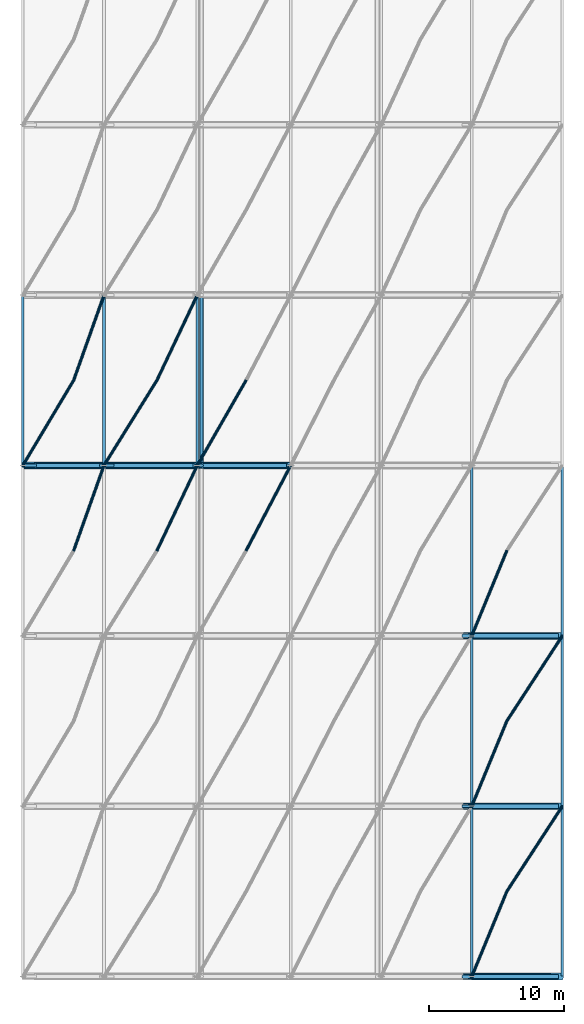
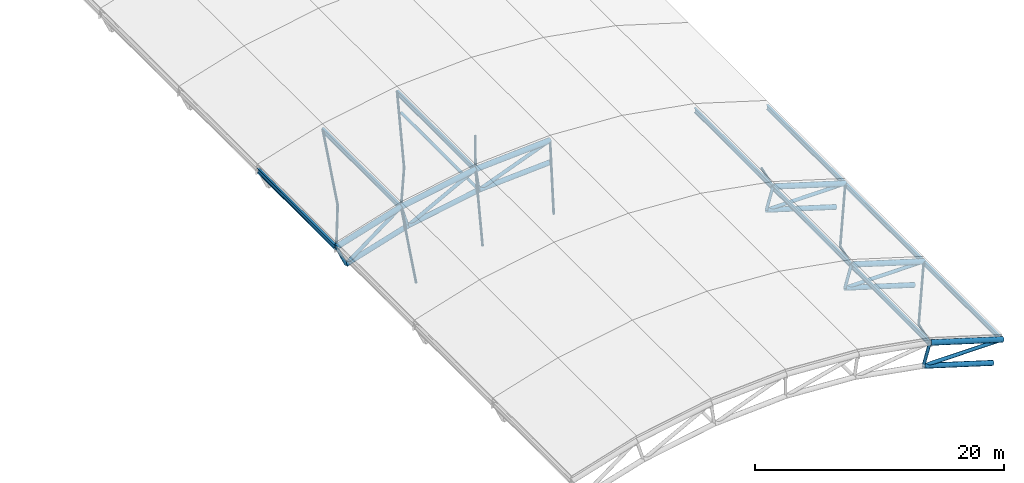
# One storey, part 5 of 18: 47 members.
"""IFC4 building model written with IfcOpenShell, lengths in metres."""

from ifc_helpers import new_model, si_unit, derived_unit, direction, frame, origin, origin_2d, place, context, subcontext, project, spatial, hollow_circle, i_section, extrude, material, material_profile, profile_set, type_object, element, save


model = new_model("IFC4")

# Units and contexts
model_context = context("Model", 3, precision=1e-05, world=origin(), true_north=direction((0.0, 1.0)))
body_context = subcontext(model_context, "Body", "Model", "MODEL_VIEW")
ifc_project = project(units=[si_unit("LENGTHUNIT", "METRE"), si_unit("AREAUNIT", "SQUARE_METRE"), si_unit("VOLUMEUNIT", "CUBIC_METRE"), si_unit("PLANEANGLEUNIT", "RADIAN"), si_unit("MASSUNIT", "GRAM", prefix="KILO"), derived_unit("THERMALTRANSMITTANCEUNIT", [(si_unit("MASSUNIT", "GRAM", prefix="KILO"), 1), (si_unit("TIMEUNIT", "SECOND"), -3), (si_unit("THERMODYNAMICTEMPERATUREUNIT", "KELVIN"), -1)])], contexts=[model_context])

# Site, building, storey
site_placement = place(None, origin())
site = spatial("IfcSite", under=ifc_project, at=site_placement, CompositionType="ELEMENT")
building_placement = place(site_placement, origin())
building = spatial("IfcBuilding", under=site, at=building_placement, Name="Valcora Ridge Arena", CompositionType="ELEMENT")
storey_placement = place(building_placement, frame((0.0, 0.0, 39.800048828125)))
storey = spatial("IfcBuildingStorey", under=building, at=storey_placement, Name="RF", CompositionType="ELEMENT", Elevation=39.800048828125)

# Members
ifc_material_1 = material(Name="Steel ASTM A572 Grade 50", Category="steel")
ifc_material_profile_1 = material_profile(ifc_material_1, i_section(OverallWidth=0.18994140625, OverallDepth=0.45703125, WebThickness=0.009033203125, FlangeThickness=0.014404296875, FilletRadius=0.014892578125, at=origin_2d()), Name="W18X50")
ifc_profile_set_1 = profile_set([ifc_material_profile_1], Name="Steel ASTM A572 Grade 50")
member_type_1 = type_object("IfcMemberType", Name="TY-MEMBER-PUR-W18X50", PredefinedType="PURLIN", material=ifc_profile_set_1)
for number, where, z_axis, x_axis, name in (
    (1, (69.199951171875, 20.050048828125, -0.510986328125), (0.0, 1.0, 0.0), (-1.0, 0.0, 0.0), "PUR-W18X50 SF-PR-PUR-W18X50-0008"),
    (2, (75.89990234375, 20.050048828125, -2.565185546875), (0.0, 1.0, 0.0), (-1.0, 0.0, 0.0), "PUR-W18X50 SF-PR-PUR-W18X50-0009"),
    (3, (69.199951171875, 32.64990234375, -0.510986328125), (0.0, 1.0, 0.0), (-1.0, 0.0, 0.0), "PUR-W18X50 SF-PR-PUR-W18X50-0020"),
    (4, (75.89990234375, 32.64990234375, -2.565185546875), (0.0, 1.0, 0.0), (-1.0, 0.0, 0.0), "PUR-W18X50 SF-PR-PUR-W18X50-0021"),
    (5, (69.199951171875, 45.25, -0.510986328125), (0.0, 1.0, 0.0), (-1.0, 0.0, 0.0), "PUR-W18X50 SF-PR-PUR-W18X50-0032"),
    (6, (75.89990234375, 45.25, -2.565185546875), (0.0, 1.0, 0.0), (-1.0, 0.0, 0.0), "PUR-W18X50 SF-PR-PUR-W18X50-0033"),
    (7, (36.0, 57.85009765625, -2.4501953125), (0.0, 1.0, 0.0), (-1.0, 0.0, 0.0), "PUR-W18X50 SF-PR-PUR-W18X50-0039"),
    (8, (42.0, 57.85009765625, -0.606689453125), (0.0, 1.0, 0.0), (-1.0, 0.0, 0.0), "PUR-W18X50 SF-PR-PUR-W18X50-0040"),
    (9, (48.89990234375, 57.85009765625, 0.662841796875), (0.0, 1.0, 0.0), (-1.0, 0.0, 0.0), "PUR-W18X50 SF-PR-PUR-W18X50-0041"),
):
    element("IfcMember", number, at=place(storey_placement, frame(where, z_axis=z_axis, x_axis=x_axis)), inside=storey, type_object=member_type_1, Name=name, PredefinedType="PURLIN", context=body_context, shape_type="SweptSolid", body=[
        extrude(i_section(OverallWidth=0.18994140625, OverallDepth=0.45703125, WebThickness=0.009033203125, FlangeThickness=0.014404296875, FilletRadius=0.014892578125, at=origin_2d()), origin(), (0.0, 0.0, 1.0), 12.5),
    ])
ifc_material_2 = material(Name="Steel ASTM A500 Grade C", Category="steel")
ifc_material_profile_2 = material_profile(ifc_material_2, hollow_circle(Radius=0.228515625, WallThickness=0.01611328125, at=origin_2d()), Name="CHS457X16")
ifc_profile_set_2 = profile_set([ifc_material_profile_2], Name="Steel ASTM A500 Grade C")
member_type_2 = type_object("IfcMemberType", Name="TY-MEMBER-SFBC-457", PredefinedType="CHORD", material=ifc_profile_set_2)
for number, where, z_axis, x_axis, name in (
    (10, (68.594482421875, 20.0, -2.509521484375), (0.956519455881, 0.0, -0.291668528508), (0.0, 1.0, 0.0), "SFBC-457 Space Frame Bottom Chord"),
    (11, (68.594482421875, 32.60009765625, -2.509521484375), (0.956519455881, 0.0, -0.291668528508), (0.0, 1.0, 0.0), "SFBC-457 Space Frame Bottom Chord"),
    (12, (68.594482421875, 45.199951171875, -2.509521484375), (0.956519455881, 0.0, -0.291668528508), (0.0, 1.0, 0.0), "SFBC-457 Space Frame Bottom Chord"),
):
    element("IfcMember", number, at=place(storey_placement, frame(where, z_axis=z_axis, x_axis=x_axis)), inside=storey, type_object=member_type_2, Name=name, PredefinedType="CHORD", context=body_context, shape_type="SweptSolid", body=[
        extrude(hollow_circle(Radius=0.228515625, WallThickness=0.01611328125, at=origin_2d()), origin(), (0.0, 0.0, 1.0), 6.68798828125),
    ])
member_1_placement = place(storey_placement, frame((36.895751953125, 57.800048828125, -4.36083984375), z_axis=(0.956190411575, 0.0, 0.292745447124), x_axis=(0.0, 1.0, 0.0)))
element("IfcMember", 13, at=member_1_placement, inside=storey, type_object=member_type_2, Name="SFBC-457 Space Frame Bottom Chord", PredefinedType="CHORD", context=body_context, shape_type="SweptSolid", body=[
    extrude(hollow_circle(Radius=0.228515625, WallThickness=0.01611328125, at=origin_2d()), origin(), (0.0, 0.0, 1.0), 5.9912109375),
])
member_2_placement = place(storey_placement, frame((42.62451171875, 57.800048828125, -2.60693359375), z_axis=(0.983574646762, 0.0, 0.180501840008), x_axis=(0.0, 1.0, 0.0)))
element("IfcMember", 14, at=member_2_placement, inside=storey, type_object=member_type_2, Name="SFBC-457 Space Frame Bottom Chord", PredefinedType="CHORD", context=body_context, shape_type="SweptSolid", body=[
    extrude(hollow_circle(Radius=0.228515625, WallThickness=0.01611328125, at=origin_2d()), origin(), (0.0, 0.0, 1.0), 6.697998046875),
])
member_3_placement = place(storey_placement, frame((49.21240234375, 57.800048828125, -1.39794921875), z_axis=(0.998185892949, 0.0, 0.060207334425), x_axis=(0.0, 1.0, 0.0)))
element("IfcMember", 15, at=member_3_placement, inside=storey, type_object=member_type_2, Name="SFBC-457 Space Frame Bottom Chord", PredefinedType="CHORD", context=body_context, shape_type="SweptSolid", body=[
    extrude(hollow_circle(Radius=0.228515625, WallThickness=0.01611328125, at=origin_2d()), origin(), (0.0, 0.0, 1.0), 6.609619140625),
])
ifc_material_profile_3 = material_profile(ifc_material_2, hollow_circle(Radius=0.136474609375, WallThickness=0.012451171875, at=origin_2d()), Name="CHS273X12")
ifc_profile_set_3 = profile_set([ifc_material_profile_3], Name="Steel ASTM A500 Grade C")
member_type_3 = type_object("IfcMemberType", Name="TY-MEMBER-SFBT-273", PredefinedType="STRUT", material=ifc_profile_set_3)
member_4_placement = place(storey_placement, frame((49.21240234375, 57.97998046875, -1.39794921875), z_axis=(0.0, 1.0, 0.0), x_axis=(-1.0, 0.0, 0.0)))
element("IfcMember", 16, at=member_4_placement, inside=storey, type_object=member_type_3, Name="SFBT-273 Space Frame Bottom Strut", PredefinedType="STRUT", context=body_context, shape_type="SweptSolid", body=[
    extrude(hollow_circle(Radius=0.136474609375, WallThickness=0.012451171875, at=origin_2d()), origin(), (0.0, 0.0, 1.0), 12.239990234375),
])
ifc_material_profile_4 = material_profile(ifc_material_2, hollow_circle(Radius=0.136474609375, WallThickness=0.012451171875, at=origin_2d()), Name="CHS273X12")
ifc_profile_set_4 = profile_set([ifc_material_profile_4], Name="Steel ASTM A500 Grade C")
member_type_4 = type_object("IfcMemberType", Name="TY-MEMBER-SFKP-273", PredefinedType="POST", material=ifc_profile_set_4)
for number, where, z_axis, x_axis, name in (
    (17, (68.594482421875, 20.0, -2.509521484375), (0.279662222876, 0.0, 0.960098453856), (0.0, 1.0, 0.0), "SFKP-273 Space Frame King Post"),
    (18, (68.594482421875, 32.60009765625, -2.509521484375), (0.279662222876, 0.0, 0.960098453856), (0.0, 1.0, 0.0), "SFKP-273 Space Frame King Post"),
    (19, (68.594482421875, 45.199951171875, -2.509521484375), (0.279662222876, 0.0, 0.960098453856), (0.0, 1.0, 0.0), "SFKP-273 Space Frame King Post"),
):
    element("IfcMember", number, at=place(storey_placement, frame(where, z_axis=z_axis, x_axis=x_axis)), inside=storey, type_object=member_type_4, Name=name, PredefinedType="POST", context=body_context, shape_type="SweptSolid", body=[
        extrude(hollow_circle(Radius=0.136474609375, WallThickness=0.012451171875, at=origin_2d()), origin(), (0.0, 0.0, 1.0), 2.1650390625),
    ])
member_5_placement = place(storey_placement, frame((36.895751953125, 57.800048828125, -4.36083984375), z_axis=(-0.41033677555, 0.0, 0.911934060462), x_axis=(0.0, -1.0, 0.0)))
element("IfcMember", 20, at=member_5_placement, inside=storey, type_object=member_type_4, Name="SFKP-273 Space Frame King Post", PredefinedType="POST", context=body_context, shape_type="SweptSolid", body=[
    extrude(hollow_circle(Radius=0.136474609375, WallThickness=0.012451171875, at=origin_2d()), origin(), (0.0, 0.0, 1.0), 2.182861328125),
])
member_6_placement = place(storey_placement, frame((42.62451171875, 57.800048828125, -2.60693359375), z_axis=(-0.28833013045, 0.0, 0.957531062616), x_axis=(0.0, -1.0, 0.0)))
element("IfcMember", 21, at=member_6_placement, inside=storey, type_object=member_type_4, Name="SFKP-273 Space Frame King Post", PredefinedType="POST", context=body_context, shape_type="SweptSolid", body=[
    extrude(hollow_circle(Radius=0.136474609375, WallThickness=0.012451171875, at=origin_2d()), origin(), (0.0, 0.0, 1.0), 2.166015625),
])
member_7_placement = place(storey_placement, frame((49.21240234375, 57.800048828125, -1.39794921875), z_axis=(-0.145069807623, 0.0, 0.989421422305), x_axis=(0.0, -1.0, 0.0)))
element("IfcMember", 22, at=member_7_placement, inside=storey, type_object=member_type_4, Name="SFKP-273 Space Frame King Post", PredefinedType="POST", context=body_context, shape_type="SweptSolid", body=[
    extrude(hollow_circle(Radius=0.136474609375, WallThickness=0.012451171875, at=origin_2d()), origin(), (0.0, 0.0, 1.0), 2.154052734375),
])
ifc_material_profile_5 = material_profile(ifc_material_2, hollow_circle(Radius=0.109619140625, WallThickness=0.010009765625, at=origin_2d()), Name="CHS219X10")
ifc_profile_set_5 = profile_set([ifc_material_profile_5], Name="Steel ASTM A500 Grade C")
member_type_5 = type_object("IfcMemberType", Name="TY-MEMBER-SFST-219", PredefinedType="STRUT", material=ifc_profile_set_5)
member_8_placement = place(storey_placement, frame((71.79296875, 26.300048828125, -3.37841796875), z_axis=(-0.349318118915, -0.848710484756, 0.39707350058), x_axis=(0.924735975959, -0.380609215294, 0.0)))
element("IfcMember", 23, at=member_8_placement, inside=storey, type_object=member_type_5, Name="SFST-219 Space Frame Tie Strut", PredefinedType="STRUT", context=body_context, shape_type="SweptSolid", body=[
    extrude(hollow_circle(Radius=0.109619140625, WallThickness=0.010009765625, at=origin_2d()), origin(), (0.0, 0.0, 1.0), 7.423095703125),
])
member_9_placement = place(storey_placement, frame((71.79296875, 26.300048828125, -3.37841796875), z_axis=(0.542194744205, 0.831728413638, 0.119384694598), x_axis=(-0.837719724529, 0.546100414882, 0.0)))
element("IfcMember", 24, at=member_9_placement, inside=storey, type_object=member_type_5, Name="SFST-219 Space Frame Tie Strut", PredefinedType="STRUT", context=body_context, shape_type="SweptSolid", body=[
    extrude(hollow_circle(Radius=0.109619140625, WallThickness=0.010009765625, at=origin_2d()), origin(), (0.0, 0.0, 1.0), 7.57470703125),
])
member_10_placement = place(storey_placement, frame((71.79296875, 38.89990234375, -3.37841796875), z_axis=(-0.349327869847, -0.848701285523, 0.397084584565), x_axis=(0.924730784445, -0.38062182846, 0.0)))
element("IfcMember", 25, at=member_10_placement, inside=storey, type_object=member_type_5, Name="SFST-219 Space Frame Tie Strut", PredefinedType="STRUT", context=body_context, shape_type="SweptSolid", body=[
    extrude(hollow_circle(Radius=0.109619140625, WallThickness=0.010009765625, at=origin_2d()), origin(), (0.0, 0.0, 1.0), 7.4228515625),
])
member_11_placement = place(storey_placement, frame((71.79296875, 38.89990234375, -3.37841796875), z_axis=(0.542194744205, 0.831728413638, 0.119384694598), x_axis=(-0.837719724529, 0.546100414882, 0.0)))
element("IfcMember", 26, at=member_11_placement, inside=storey, type_object=member_type_5, Name="SFST-219 Space Frame Tie Strut", PredefinedType="STRUT", context=body_context, shape_type="SweptSolid", body=[
    extrude(hollow_circle(Radius=0.109619140625, WallThickness=0.010009765625, at=origin_2d()), origin(), (0.0, 0.0, 1.0), 7.57470703125),
])
member_12_placement = place(storey_placement, frame((39.760009765625, 51.5, -3.3984375), z_axis=(0.307921307202, 0.866039164288, 0.39390434688), x_axis=(-0.942215970866, 0.335006065983, 0.0)))
element("IfcMember", 27, at=member_12_placement, inside=storey, type_object=member_type_5, Name="SFST-219 Space Frame Tie Strut", PredefinedType="STRUT", context=body_context, shape_type="SweptSolid", body=[
    extrude(hollow_circle(Radius=0.109619140625, WallThickness=0.010009765625, at=origin_2d()), origin(), (0.0, 0.0, 1.0), 7.274658203125),
])
member_13_placement = place(storey_placement, frame((45.91845703125, 51.5, -1.8984375), z_axis=(0.400180692741, 0.845616015082, 0.353254820484), x_axis=(-0.903892552014, 0.427759575478, 0.0)))
element("IfcMember", 28, at=member_13_placement, inside=storey, type_object=member_type_5, Name="SFST-219 Space Frame Tie Strut", PredefinedType="STRUT", context=body_context, shape_type="SweptSolid", body=[
    extrude(hollow_circle(Radius=0.109619140625, WallThickness=0.010009765625, at=origin_2d()), origin(), (0.0, 0.0, 1.0), 7.4501953125),
])
member_14_placement = place(storey_placement, frame((52.51123046875, 51.5, -1.099365234375), z_axis=(0.442279706619, 0.844658661138, 0.30156327243), x_axis=(-0.885900736373, 0.463874859519, 0.0)))
element("IfcMember", 29, at=member_14_placement, inside=storey, type_object=member_type_5, Name="SFST-219 Space Frame Tie Strut", PredefinedType="STRUT", context=body_context, shape_type="SweptSolid", body=[
    extrude(hollow_circle(Radius=0.109619140625, WallThickness=0.010009765625, at=origin_2d()), origin(), (0.0, 0.0, 1.0), 7.458740234375),
])
member_15_placement = place(storey_placement, frame((71.79296875, 51.5, -3.37841796875), z_axis=(-0.349318118915, -0.848710484756, 0.39707350058), x_axis=(0.924735975959, -0.380609215294, 0.0)))
element("IfcMember", 30, at=member_15_placement, inside=storey, type_object=member_type_5, Name="SFST-219 Space Frame Tie Strut", PredefinedType="STRUT", context=body_context, shape_type="SweptSolid", body=[
    extrude(hollow_circle(Radius=0.109619140625, WallThickness=0.010009765625, at=origin_2d()), origin(), (0.0, 0.0, 1.0), 7.423095703125),
])
member_16_placement = place(storey_placement, frame((39.760009765625, 64.10009765625, -3.3984375), z_axis=(-0.507527109704, -0.850382252185, 0.138802946956), x_axis=(0.858694396815, -0.512487983156, 0.0)))
element("IfcMember", 31, at=member_16_placement, inside=storey, type_object=member_type_5, Name="SFST-219 Space Frame Tie Strut", PredefinedType="STRUT", context=body_context, shape_type="SweptSolid", body=[
    extrude(hollow_circle(Radius=0.109619140625, WallThickness=0.010009765625, at=origin_2d()), origin(), (0.0, 0.0, 1.0), 7.408447265625),
])
member_17_placement = place(storey_placement, frame((39.760009765625, 64.10009765625, -3.3984375), z_axis=(0.307930257169, 0.866030774495, 0.39391579601), x_axis=(-0.942211872843, 0.335017591588, 0.0)))
element("IfcMember", 32, at=member_17_placement, inside=storey, type_object=member_type_5, Name="SFST-219 Space Frame Tie Strut", PredefinedType="STRUT", context=body_context, shape_type="SweptSolid", body=[
    extrude(hollow_circle(Radius=0.109619140625, WallThickness=0.010009765625, at=origin_2d()), origin(), (0.0, 0.0, 1.0), 7.2744140625),
])
member_18_placement = place(storey_placement, frame((45.91845703125, 64.10009765625, -1.8984375), z_axis=(-0.519425044578, -0.835125437715, 0.18100587379), x_axis=(0.84915171305, -0.528149001916, 0.0)))
element("IfcMember", 33, at=member_18_placement, inside=storey, type_object=member_type_5, Name="SFST-219 Space Frame Tie Strut", PredefinedType="STRUT", context=body_context, shape_type="SweptSolid", body=[
    extrude(hollow_circle(Radius=0.109619140625, WallThickness=0.010009765625, at=origin_2d()), origin(), (0.0, 0.0, 1.0), 7.5439453125),
])
member_19_placement = place(storey_placement, frame((45.91845703125, 64.10009765625, -1.8984375), z_axis=(0.400191782147, 0.845606677574, 0.353264609527), x_axis=(-0.903886142383, 0.427773119314, 0.0)))
element("IfcMember", 34, at=member_19_placement, inside=storey, type_object=member_type_5, Name="SFST-219 Space Frame Tie Strut", PredefinedType="STRUT", context=body_context, shape_type="SweptSolid", body=[
    extrude(hollow_circle(Radius=0.109619140625, WallThickness=0.010009765625, at=origin_2d()), origin(), (0.0, 0.0, 1.0), 7.449951171875),
])
member_20_placement = place(storey_placement, frame((52.51123046875, 64.10009765625, -1.099365234375), z_axis=(-0.48219098451, -0.841193777399, 0.244713880525), x_axis=(0.867572012448, -0.497311575591, 0.0)))
element("IfcMember", 35, at=member_20_placement, inside=storey, type_object=member_type_5, Name="SFST-219 Space Frame Tie Strut", PredefinedType="STRUT", context=body_context, shape_type="SweptSolid", body=[
    extrude(hollow_circle(Radius=0.109619140625, WallThickness=0.010009765625, at=origin_2d()), origin(), (0.0, 0.0, 1.0), 7.489501953125),
])
ifc_material_profile_6 = material_profile(ifc_material_2, hollow_circle(Radius=0.25390625, WallThickness=0.01611328125, at=origin_2d()), Name="CHS508X16")
ifc_profile_set_6 = profile_set([ifc_material_profile_6], Name="Steel ASTM A500 Grade C")
member_type_6 = type_object("IfcMemberType", Name="TY-MEMBER-SFTC-508", PredefinedType="CHORD", material=ifc_profile_set_6)
for number, where, z_axis, x_axis, name in (
    (36, (69.199951171875, 20.0, -0.430908203125), (0.956510795104, 0.0, -0.29169692979), (0.0, 1.0, 0.0), "SFTC-508 Space Frame Top Chord"),
    (37, (69.199951171875, 32.60009765625, -0.430908203125), (0.956510795104, 0.0, -0.29169692979), (0.0, 1.0, 0.0), "SFTC-508 Space Frame Top Chord"),
    (38, (69.199951171875, 45.199951171875, -0.430908203125), (0.956510795104, 0.0, -0.29169692979), (0.0, 1.0, 0.0), "SFTC-508 Space Frame Top Chord"),
):
    element("IfcMember", number, at=place(storey_placement, frame(where, z_axis=z_axis, x_axis=x_axis)), inside=storey, type_object=member_type_6, Name=name, PredefinedType="CHORD", context=body_context, shape_type="SweptSolid", body=[
        extrude(hollow_circle(Radius=0.25390625, WallThickness=0.01611328125, at=origin_2d()), origin(), (0.0, 0.0, 1.0), 7.004638671875),
    ])
member_21_placement = place(storey_placement, frame((36.0, 57.800048828125, -2.3701171875), z_axis=(0.956181062975, 0.0, 0.292775980586), x_axis=(0.0, 1.0, 0.0)))
element("IfcMember", 39, at=member_21_placement, inside=storey, type_object=member_type_6, Name="SFTC-508 Space Frame Top Chord", PredefinedType="CHORD", context=body_context, shape_type="SweptSolid", body=[
    extrude(hollow_circle(Radius=0.25390625, WallThickness=0.01611328125, at=origin_2d()), origin(), (0.0, 0.0, 1.0), 6.27490234375),
])
member_22_placement = place(storey_placement, frame((42.0, 57.800048828125, -0.532958984375), z_axis=(0.983571765231, 0.0, 0.180517541089), x_axis=(0.0, 1.0, 0.0)))
element("IfcMember", 40, at=member_22_placement, inside=storey, type_object=member_type_6, Name="SFTC-508 Space Frame Top Chord", PredefinedType="CHORD", context=body_context, shape_type="SweptSolid", body=[
    extrude(hollow_circle(Radius=0.25390625, WallThickness=0.01611328125, at=origin_2d()), origin(), (0.0, 0.0, 1.0), 7.01513671875),
])
member_23_placement = place(storey_placement, frame((48.89990234375, 57.800048828125, 0.7333984375), z_axis=(0.998188446948, 0.0, 0.060164976346), x_axis=(0.0, 1.0, 0.0)))
element("IfcMember", 41, at=member_23_placement, inside=storey, type_object=member_type_6, Name="SFTC-508 Space Frame Top Chord", PredefinedType="CHORD", context=body_context, shape_type="SweptSolid", body=[
    extrude(hollow_circle(Radius=0.25390625, WallThickness=0.01611328125, at=origin_2d()), origin(), (0.0, 0.0, 1.0), 6.922607421875),
])
ifc_material_profile_7 = material_profile(ifc_material_2, hollow_circle(Radius=0.161865234375, WallThickness=0.012451171875, at=origin_2d()), Name="CHS323X12")
ifc_profile_set_7 = profile_set([ifc_material_profile_7], Name="Steel ASTM A500 Grade C")
member_type_7 = type_object("IfcMemberType", Name="TY-MEMBER-SFWB-323", PredefinedType="BRACE", material=ifc_profile_set_7)
for number, where, z_axis, x_axis, name in (
    (42, (68.75439453125, 20.0, -2.508544921875), (0.999988477741, 0.0, 0.004800456742), (0.0, 1.0, 0.0), "SFWB-323 Space Frame Diagonal Brace"),
    (43, (68.75439453125, 32.60009765625, -2.508544921875), (0.999988477741, 0.0, 0.004800456742), (0.0, 1.0, 0.0), "SFWB-323 Space Frame Diagonal Brace"),
    (44, (68.75439453125, 45.199951171875, -2.508544921875), (0.999988477741, 0.0, 0.004800456742), (0.0, 1.0, 0.0), "SFWB-323 Space Frame Diagonal Brace"),
):
    element("IfcMember", number, at=place(storey_placement, frame(where, z_axis=z_axis, x_axis=x_axis)), inside=storey, type_object=member_type_7, Name=name, PredefinedType="BRACE", context=body_context, shape_type="SweptSolid", body=[
        extrude(hollow_circle(Radius=0.161865234375, WallThickness=0.012451171875, at=origin_2d()), origin(), (0.0, 0.0, 1.0), 6.86572265625),
    ])
member_24_placement = place(storey_placement, frame((37.023681640625, 57.800048828125, -4.264892578125), z_axis=(0.800014795818, 0.0, 0.599980271736), x_axis=(0.0, 1.0, 0.0)))
element("IfcMember", 45, at=member_24_placement, inside=storey, type_object=member_type_7, Name="SFWB-323 Space Frame Diagonal Brace", PredefinedType="BRACE", context=body_context, shape_type="SweptSolid", body=[
    extrude(hollow_circle(Radius=0.161865234375, WallThickness=0.012451171875, at=origin_2d()), origin(), (0.0, 0.0, 1.0), 5.940185546875),
])
member_25_placement = place(storey_placement, frame((42.765625, 57.800048828125, -2.53173828125), z_axis=(0.882744799962, 0.0, 0.469852762193), x_axis=(0.0, 1.0, 0.0)))
element("IfcMember", 46, at=member_25_placement, inside=storey, type_object=member_type_7, Name="SFWB-323 Space Frame Diagonal Brace", PredefinedType="BRACE", context=body_context, shape_type="SweptSolid", body=[
    extrude(hollow_circle(Radius=0.161865234375, WallThickness=0.012451171875, at=origin_2d()), origin(), (0.0, 0.0, 1.0), 6.669189453125),
])
member_26_placement = place(storey_placement, frame((49.36181640625, 57.800048828125, -1.34033203125), z_axis=(0.932850436779, 0.0, 0.360263879124), x_axis=(0.0, 1.0, 0.0)))
element("IfcMember", 47, at=member_26_placement, inside=storey, type_object=member_type_7, Name="SFWB-323 Space Frame Diagonal Brace", PredefinedType="BRACE", context=body_context, shape_type="SweptSolid", body=[
    extrude(hollow_circle(Radius=0.161865234375, WallThickness=0.012451171875, at=origin_2d()), origin(), (0.0, 0.0, 1.0), 6.63232421875),
])

save(model, "model.ifc")
